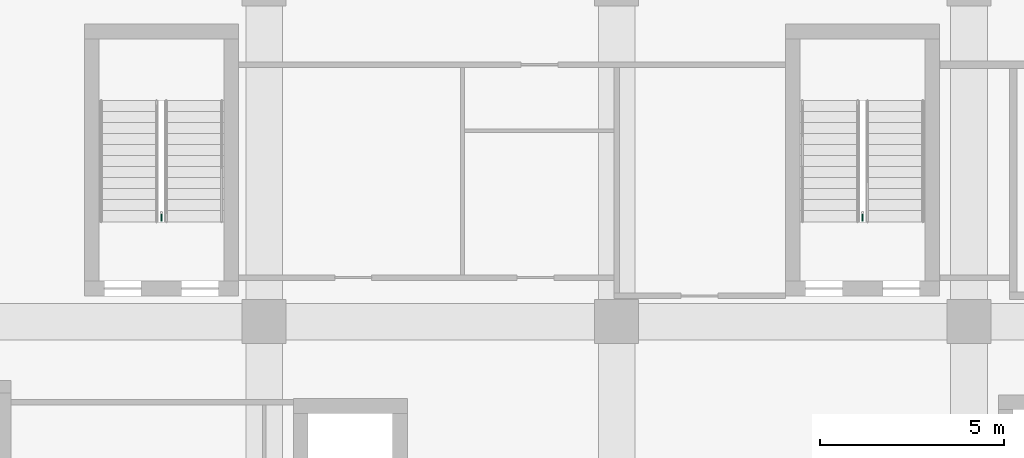
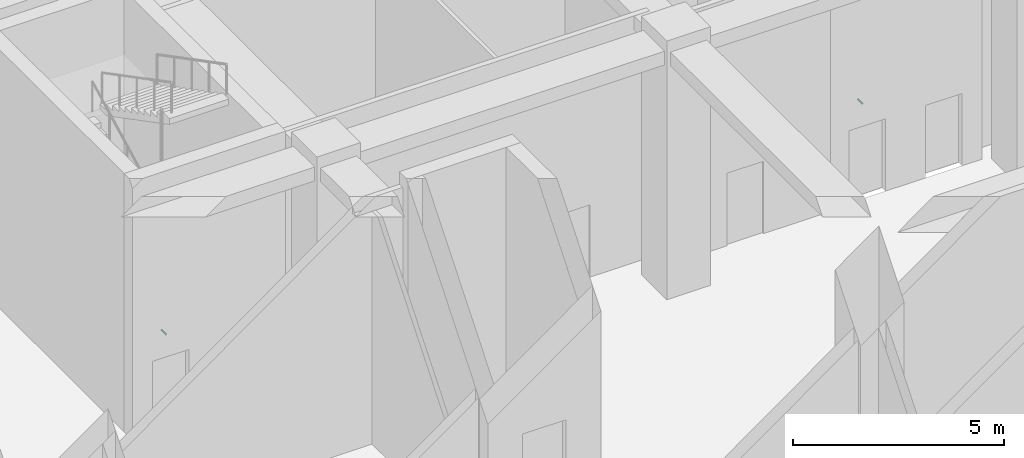
# One storey, part 32 of 36: 2 pipe fittings.
"""IFC4 building model written with IfcOpenShell, lengths in metres."""

from ifc_helpers import new_model, si_unit, direction, frame, origin, origin_2d, place, context, subcontext, project, spatial, circle, extrude, element, save


model = new_model("IFC4")

# Units and contexts
model_context = context("Model", 3, precision=1e-05, world=origin(), true_north=direction((0.0, 1.0)))
body_context = subcontext(model_context, "Body", "Model", "MODEL_VIEW")
ifc_project = project(units=[si_unit("LENGTHUNIT", "METRE"), si_unit("AREAUNIT", "SQUARE_METRE"), si_unit("VOLUMEUNIT", "CUBIC_METRE"), si_unit("PLANEANGLEUNIT", "RADIAN"), si_unit("MASSUNIT", "GRAM", prefix="KILO")], contexts=[model_context])

# Site, building, storey
site_placement = place(None, origin())
site = spatial("IfcSite", under=ifc_project, at=site_placement, CompositionType="ELEMENT")
building_placement = place(site_placement, origin())
building = spatial("IfcBuilding", under=site, at=building_placement, Name="Nzadi Deep Aquarium and Research Tower", CompositionType="ELEMENT")
storey_placement = place(building_placement, frame((0.0, 0.0, 14.199951171875)))
storey = spatial("IfcBuildingStorey", under=building, at=storey_placement, Name="L02", CompositionType="ELEMENT", Elevation=14.199951171875)

# Pipe fittings
for number, where, z_axis, x_axis, name in (
    (1, (6.800048828125, 39.77001953125, 1.10009765625), (0.0, -1.0, 0.0), (1.0, 0.0, 0.0), "Dry riser outlet ST-Z1-NW L02"),
    (2, (25.89990234375, 39.77001953125, 1.10009765625), (0.0, -1.0, 0.0), (1.0, 0.0, 0.0), "Dry riser outlet ST-Z1-NE L02"),
):
    element("IfcPipeFitting", number, at=place(storey_placement, frame(where, z_axis=z_axis, x_axis=x_axis)), inside=storey, Name=name, PredefinedType="EXIT", context=body_context, shape_type="SweptSolid", body=[
        extrude(circle(Radius=0.0224609375, at=origin_2d()), origin(), (0.0, 0.0, 1.0), 0.22998046875),
    ])

save(model, "model.ifc")
